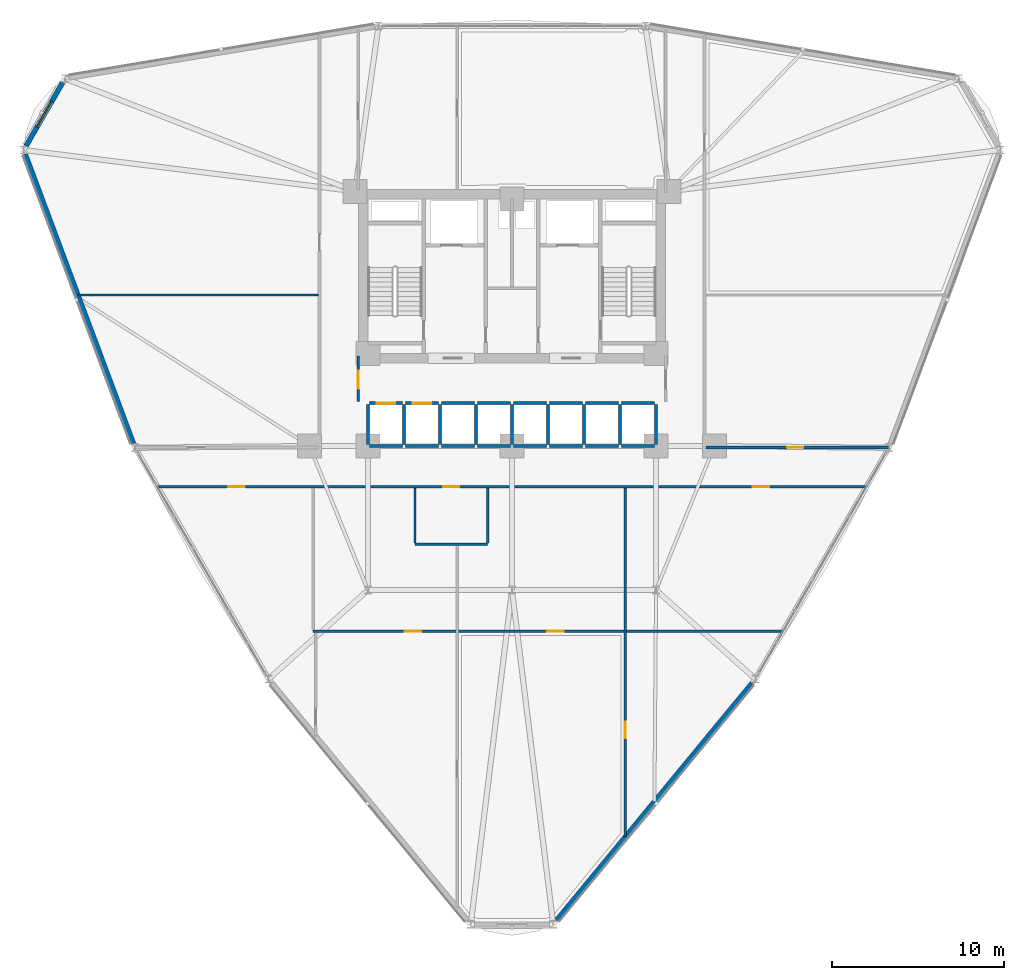
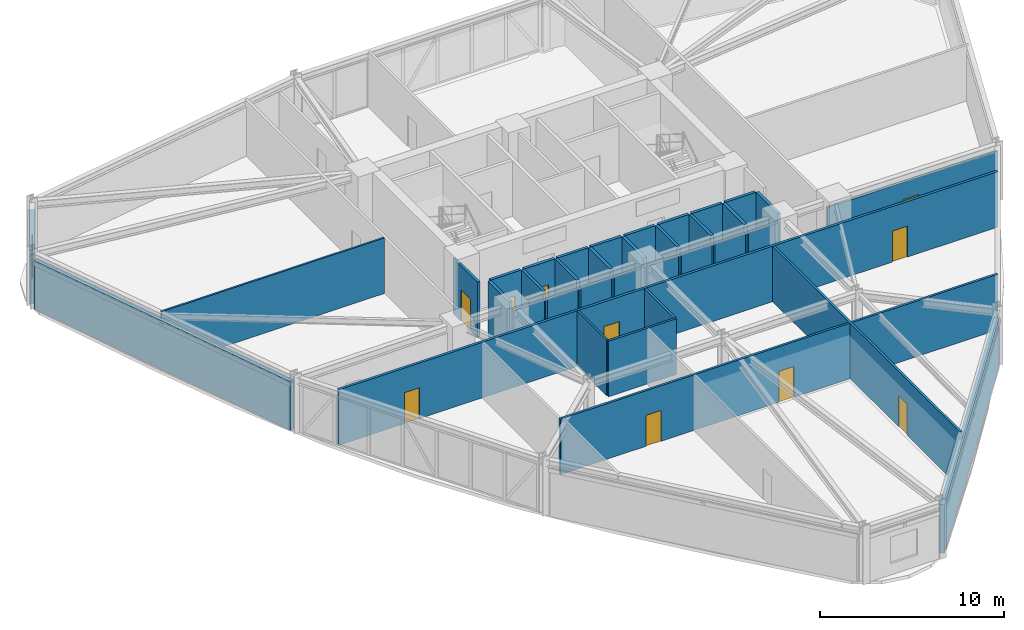
# One storey, part 16 of 22: 37 walls, 10 doors, 1 window, 11 openings.
"""IFC4 building model written with IfcOpenShell, lengths in metres."""

from ifc_helpers import new_model, si_unit, derived_unit, direction, frame, frame_2d, origin, place, context, subcontext, project, spatial, rectangle, extrude, material, layer, layer_set, type_object, element, fill, save


model = new_model("IFC4")

# Units and contexts
model_context = context("Model", 3, precision=1e-05, world=origin(), true_north=direction((0.0, 1.0)))
body_context = subcontext(model_context, "Body", "Model", "MODEL_VIEW")
ifc_project = project(units=[si_unit("LENGTHUNIT", "METRE"), si_unit("AREAUNIT", "SQUARE_METRE"), si_unit("VOLUMEUNIT", "CUBIC_METRE"), si_unit("PLANEANGLEUNIT", "RADIAN"), si_unit("MASSUNIT", "GRAM", prefix="KILO"), derived_unit("THERMALTRANSMITTANCEUNIT", [(si_unit("POWERUNIT", "WATT"), 1), (si_unit("LENGTHUNIT", "METRE"), -2), (si_unit("THERMODYNAMICTEMPERATUREUNIT", "KELVIN"), -1)])], contexts=[model_context])

# Site, building, storey
site_placement = place(None, origin())
site = spatial("IfcSite", under=ifc_project, at=site_placement, CompositionType="ELEMENT")
building_placement = place(site_placement, origin())
building = spatial("IfcBuilding", under=site, at=building_placement, Name="Korsvarv Bourse and Concert Hall", CompositionType="ELEMENT")
storey_placement = place(building_placement, frame((0.0, 0.0, 47.39990234375)))
storey = spatial("IfcBuildingStorey", under=building, at=storey_placement, Name="L11", CompositionType="ELEMENT", Elevation=47.39990234375)

# Wall, opening, window
ifc_material_1 = material(Name="Precast concrete C45/55 with terracotta rainscreen", Category="concrete")
ifc_layer_1 = layer(ifc_material_1, 0.300048828125)
ifc_layer_set_1 = layer_set([ifc_layer_1], Name="Precast concrete C45/55 with terracotta rainscreen")
wall_type_1 = type_object("IfcWallType", Name="WL-EXT-TC1", PredefinedType="SOLIDWALL", material=ifc_layer_set_1)
wall_1_placement = place(storey_placement, frame((9.791015625, 53.58642578125, 0.0), z_axis=(0.0, 0.0, 1.0), x_axis=(-0.500017365573, -0.866015377534, 0.0)))
wall_1 = element("IfcWall", 1, at=wall_1_placement, inside=storey, type_object=wall_type_1, Name="L11 terracotta exterior wall EW-L11-B05", PredefinedType="SOLIDWALL", context=body_context, shape_type="SweptSolid", body=[
    extrude(rectangle(XDim=4.251708984375, YDim=0.300048828125, at=frame_2d((2.1259765625, 0.0))), origin(), (0.0, 0.0, 1.0), 3.22998046875),
])
opening_1_placement = place(wall_1_placement, frame((1.27587890625, 0.0, 0.75)))
opening_1 = element("IfcOpeningElement", 2, at=opening_1_placement, cuts=wall_1, Name="Opening W-01", PredefinedType="OPENING", context=body_context, shape_type="SweptSolid", body=[
    extrude(rectangle(XDim=1.699951171875, YDim=1.75, at=frame_2d((0.85009765625, 0.875))), frame((0.0, 0.16015625, 0.0), z_axis=(0.0, -1.0, 0.0), x_axis=(1.0, 0.0, 0.0)), (0.0, 0.0, 1.0), 0.320068359375),
])
ifc_material_2 = material(Name="Thermally broken aluminium frame with triple low-E glass", Category="glass")
window_type = type_object("IfcWindowType", Name="WIN-TW1", PartitioningType="SINGLE_PANEL", PredefinedType="WINDOW", material=ifc_material_2)
window_placement = place(opening_1_placement, origin())
window = element("IfcWindow", 3, at=window_placement, inside=storey, type_object=window_type, Name="L11 punched facade window W-01", OverallHeight=1.75, OverallWidth=1.699951171875, PartitioningType="SINGLE_PANEL", PredefinedType="WINDOW", context=body_context, shape_type="SweptSolid", body=[
    extrude(rectangle(XDim=1.699951171875, YDim=1.75, at=frame_2d((0.85009765625, 0.875))), frame((0.0, 0.030029296875, 0.0), z_axis=(0.0, -1.0, 0.0), x_axis=(1.0, 0.0, 0.0)), (0.0, 0.0, 1.0), 0.06005859375),
])
fill(opening_1, window)

# Walls
ifc_material_3 = material(Name="Precast concrete C45/55 with fluted terracotta pier", Category="concrete")
ifc_layer_2 = layer(ifc_material_3, 0.280029296875)
ifc_layer_set_2 = layer_set([ifc_layer_2], Name="Precast concrete C45/55 with fluted terracotta pier")
wall_type_2 = type_object("IfcWallType", Name="WL-EXT-TC2", PredefinedType="SOLIDWALL", material=ifc_layer_set_2)
wall_2_placement = place(storey_placement, frame((7.615966796875, 49.42041015625, 0.0), z_axis=(0.0, 0.0, 1.0), x_axis=(0.350140465982, -0.936697205121, 0.0)))
element("IfcWall", 4, at=wall_2_placement, inside=storey, type_object=wall_type_2, Name="L11 terracotta exterior wall EW-L11-B06", PredefinedType="SOLIDWALL", context=body_context, shape_type="SweptSolid", body=[
    extrude(rectangle(XDim=18.022216796875, YDim=0.280029296875, at=frame_2d((9.01123046875, 0.0))), origin(), (0.0, 0.0, 1.0), 3.22998046875),
])
wall_3_placement = place(storey_placement, frame((38.604736328125, 4.751220703125, 0.0), z_axis=(0.0, 0.0, 1.0), x_axis=(0.636134749951, 0.771577980443, 0.0)))
element("IfcWall", 5, at=wall_3_placement, inside=storey, type_object=wall_type_2, Name="L11 terracotta exterior wall EW-L11-B10", PredefinedType="SOLIDWALL", context=body_context, shape_type="SweptSolid", body=[
    extrude(rectangle(XDim=17.911865234375, YDim=0.280029296875, at=frame_2d((8.9560546875, 0.0))), origin(), (0.0, 0.0, 1.0), 3.22998046875),
])

# Wall, opening, door
ifc_material_4 = material(Name="Double-stud fire-rated acoustic partition", Category="gypsum")
ifc_layer_3 = layer(ifc_material_4, 0.159912109375)
ifc_layer_set_3 = layer_set([ifc_layer_3], Name="Double-stud fire-rated acoustic partition")
wall_type_3 = type_object("IfcWallType", Name="WL-INT-EI60", PredefinedType="PARTITIONING", material=ifc_layer_set_3)
wall_4_placement = place(storey_placement, frame((27.0400390625, 35.0, 0.0), z_axis=(0.0, 0.0, 1.0), x_axis=(0.0, 1.0, 0.0)))
wall_4 = element("IfcWall", 6, at=wall_4_placement, inside=storey, type_object=wall_type_3, Name="L11 interior partition wall W-L11-LOB-W", PredefinedType="PARTITIONING", context=body_context, shape_type="SweptSolid", body=[
    extrude(rectangle(XDim=2.64990234375, YDim=0.159912109375, at=frame_2d((1.324951171875, 0.0))), origin(), (0.0, 0.0, 1.0), 3.68017578125),
])
opening_2_placement = place(wall_4_placement, frame((0.75, 0.0, 0.0)))
opening_2 = element("IfcOpeningElement", 7, at=opening_2_placement, cuts=wall_4, Name="Opening D-01", PredefinedType="OPENING", context=body_context, shape_type="SweptSolid", body=[
    extrude(rectangle(XDim=1.050048828125, YDim=2.10009765625, at=frame_2d((0.52490234375, 1.050048828125))), frame((0.0, 0.08984375, 0.0), z_axis=(0.0, -1.0, 0.0), x_axis=(1.0, 0.0, 0.0)), (0.0, 0.0, 1.0), 0.179931640625),
])
ifc_material_5 = material(Name="Steel S355 fire door", Category="steel")
door_type_1 = type_object("IfcDoorType", Name="DR-FD60", OperationType="NOTDEFINED", PredefinedType="DOOR", material=ifc_material_5)
door_1_placement = place(opening_2_placement, frame((1.050048828125, 0.0, 0.0), z_axis=(0.0, 0.0, 1.0), x_axis=(-1.0, 0.0, 0.0)))
door_1 = element("IfcDoor", 8, at=door_1_placement, inside=storey, type_object=door_type_1, Name="L11 interior door DR-L11-LOBW", OperationType="SINGLE_SWING_RIGHT", OverallHeight=2.10009765625, OverallWidth=1.050048828125, PredefinedType="DOOR", context=body_context, shape_type="SweptSolid", body=[
    extrude(rectangle(XDim=1.050048828125, YDim=2.10009765625, at=frame_2d((0.52490234375, 1.050048828125))), frame((0.0, 0.02490234375, 0.0), z_axis=(0.0, -1.0, 0.0), x_axis=(1.0, 0.0, 0.0)), (0.0, 0.0, 1.0), 0.050048828125),
])
fill(opening_2, door_1)

# Wall, openings, doors
wall_5_placement = place(storey_placement, frame((15.348388671875, 30.02490234375, 0.0), z_axis=(0.0, 0.0, 1.0), x_axis=(1.0, 0.0, 0.0)))
wall_5 = element("IfcWall", 9, at=wall_5_placement, inside=storey, type_object=wall_type_3, Name="L11 interior partition wall W-L11-TCOR-01", PredefinedType="PARTITIONING", context=body_context, shape_type="SweptSolid", body=[
    extrude(rectangle(XDim=41.30322265625, YDim=0.159912109375, at=frame_2d((20.651611328125, 0.0))), origin(), (0.0, 0.0, 1.0), 3.68017578125),
])
opening_3_placement = place(wall_5_placement, frame((16.636474609375, 0.0, 0.0)))
opening_3 = element("IfcOpeningElement", 10, at=opening_3_placement, cuts=wall_5, Name="Opening D-02", PredefinedType="OPENING", context=body_context, shape_type="SweptSolid", body=[
    extrude(rectangle(XDim=0.949951171875, YDim=2.050048828125, at=frame_2d((0.47509765625, 1.02490234375))), frame((0.0, 0.08984375, 0.0), z_axis=(0.0, -1.0, 0.0), x_axis=(1.0, 0.0, 0.0)), (0.0, 0.0, 1.0), 0.179931640625),
])
opening_4_placement = place(wall_5_placement, frame((4.119873046875, 0.0, 0.0)))
opening_4 = element("IfcOpeningElement", 11, at=opening_4_placement, cuts=wall_5, Name="Opening D-02", PredefinedType="OPENING", context=body_context, shape_type="SweptSolid", body=[
    extrude(rectangle(XDim=0.949951171875, YDim=2.050048828125, at=frame_2d((0.47509765625, 1.02490234375))), frame((0.0, 0.08984375, 0.0), z_axis=(0.0, -1.0, 0.0), x_axis=(1.0, 0.0, 0.0)), (0.0, 0.0, 1.0), 0.179931640625),
])
opening_5_placement = place(wall_5_placement, frame((34.68994140625, 0.0, 0.0)))
opening_5 = element("IfcOpeningElement", 12, at=opening_5_placement, cuts=wall_5, Name="Opening D-02", PredefinedType="OPENING", context=body_context, shape_type="SweptSolid", body=[
    extrude(rectangle(XDim=0.949951171875, YDim=2.050048828125, at=frame_2d((0.47509765625, 1.02490234375))), frame((0.0, 0.08984375, 0.0), z_axis=(0.0, -1.0, 0.0), x_axis=(1.0, 0.0, 0.0)), (0.0, 0.0, 1.0), 0.179931640625),
])
ifc_material_6 = material(Name="Timber and steel acoustic fire door", Category="wood")
door_type_2 = type_object("IfcDoorType", Name="DR-FD30", OperationType="NOTDEFINED", PredefinedType="DOOR", material=ifc_material_6)
door_2_placement = place(opening_3_placement, origin())
door_2 = element("IfcDoor", 13, at=door_2_placement, inside=storey, type_object=door_type_2, Name="L11 interior door DR-L11-TCOR-RWC", OperationType="SINGLE_SWING_RIGHT", OverallHeight=2.050048828125, OverallWidth=0.949951171875, PredefinedType="DOOR", context=body_context, shape_type="SweptSolid", body=[
    extrude(rectangle(XDim=0.949951171875, YDim=2.050048828125, at=frame_2d((0.47509765625, 1.02490234375))), frame((0.0, 0.02490234375, 0.0), z_axis=(0.0, -1.0, 0.0), x_axis=(1.0, 0.0, 0.0)), (0.0, 0.0, 1.0), 0.050048828125),
])
fill(opening_3, door_2)
door_3_placement = place(opening_4_placement, origin())
door_3 = element("IfcDoor", 14, at=door_3_placement, inside=storey, type_object=door_type_2, Name="L11 interior door DR-L11-TCOR-MF13", OperationType="SINGLE_SWING_LEFT", OverallHeight=2.050048828125, OverallWidth=0.949951171875, PredefinedType="DOOR", context=body_context, shape_type="SweptSolid", body=[
    extrude(rectangle(XDim=0.949951171875, YDim=2.050048828125, at=frame_2d((0.47509765625, 1.02490234375))), frame((0.0, 0.02490234375, 0.0), z_axis=(0.0, -1.0, 0.0), x_axis=(1.0, 0.0, 0.0)), (0.0, 0.0, 1.0), 0.050048828125),
])
fill(opening_4, door_3)
door_4_placement = place(opening_5_placement, origin())
door_4 = element("IfcDoor", 15, at=door_4_placement, inside=storey, type_object=door_type_2, Name="L11 interior door DR-L11-TCOR-MF49", OperationType="SINGLE_SWING_RIGHT", OverallHeight=2.050048828125, OverallWidth=0.949951171875, PredefinedType="DOOR", context=body_context, shape_type="SweptSolid", body=[
    extrude(rectangle(XDim=0.949951171875, YDim=2.050048828125, at=frame_2d((0.47509765625, 1.02490234375))), frame((0.0, 0.02490234375, 0.0), z_axis=(0.0, -1.0, 0.0), x_axis=(1.0, 0.0, 0.0)), (0.0, 0.0, 1.0), 0.050048828125),
])
fill(opening_5, door_4)

# Wall, opening, door
wall_6_placement = place(storey_placement, frame((47.306884765625, 32.31494140625, 0.0), z_axis=(0.0, 0.0, 1.0), x_axis=(1.0, 0.0, 0.0)))
wall_6 = element("IfcWall", 16, at=wall_6_placement, inside=storey, type_object=wall_type_3, Name="L11 interior partition wall W-L11-TCOR-05", PredefinedType="PARTITIONING", context=body_context, shape_type="SweptSolid", body=[
    extrude(rectangle(XDim=10.6630859375, YDim=0.159912109375, at=frame_2d((5.33154296875, 0.0))), origin(), (0.0, 0.0, 1.0), 3.18017578125),
])
opening_6_placement = place(wall_6_placement, frame((4.739013671875, 0.0, 0.0)))
opening_6 = element("IfcOpeningElement", 17, at=opening_6_placement, cuts=wall_6, Name="Opening D-02", PredefinedType="OPENING", context=body_context, shape_type="SweptSolid", body=[
    extrude(rectangle(XDim=0.949951171875, YDim=2.050048828125, at=frame_2d((0.47509765625, 1.02490234375))), frame((0.0, 0.08984375, 0.0), z_axis=(0.0, -1.0, 0.0), x_axis=(1.0, 0.0, 0.0)), (0.0, 0.0, 1.0), 0.179931640625),
])
door_5_placement = place(opening_6_placement, origin())
door_5 = element("IfcDoor", 18, at=door_5_placement, inside=storey, type_object=door_type_2, Name="L11 interior door DR-L11-TCOR-MF91", OperationType="SINGLE_SWING_RIGHT", OverallHeight=2.050048828125, OverallWidth=0.949951171875, PredefinedType="DOOR", context=body_context, shape_type="SweptSolid", body=[
    extrude(rectangle(XDim=0.949951171875, YDim=2.050048828125, at=frame_2d((0.47509765625, 1.02490234375))), frame((0.0, 0.02490234375, 0.0), z_axis=(0.0, -1.0, 0.0), x_axis=(1.0, 0.0, 0.0)), (0.0, 0.0, 1.0), 0.050048828125),
])
fill(opening_6, door_5)

ifc_material_7 = material(Name="Gypsum-clad autoclaved concrete shaft wall C30/37", Category="concrete")
ifc_layer_4 = layer(ifc_material_7, 0.179931640625)
ifc_layer_set_4 = layer_set([ifc_layer_4], Name="Gypsum-clad autoclaved concrete shaft wall C30/37")
wall_type_4 = type_object("IfcWallType", Name="WL-INT-EI90", PredefinedType="PARTITIONING", material=ifc_layer_set_4)
wall_7_placement = place(storey_placement, frame((27.68994140625, 34.89990234375, 0.0), z_axis=(0.0, 0.0, 1.0), x_axis=(1.0, 0.0, 0.0)))
wall_7 = element("IfcWall", 19, at=wall_7_placement, inside=storey, type_object=wall_type_4, Name="L11 interior partition wall W-L11-SHFN-PL1", PredefinedType="PARTITIONING", context=body_context, shape_type="SweptSolid", body=[
    extrude(rectangle(XDim=1.920166015625, YDim=0.179931640625, at=frame_2d((0.9599609375, 0.0))), origin(), (0.0, 0.0, 1.0), 3.68017578125),
])
opening_7_placement = place(wall_7_placement, frame((0.409912109375, 0.0, 0.0)))
opening_7 = element("IfcOpeningElement", 20, at=opening_7_placement, cuts=wall_7, Name="Opening LD-2", PredefinedType="OPENING", context=body_context, shape_type="SweptSolid", body=[
    extrude(rectangle(XDim=1.10009765625, YDim=2.10009765625, at=frame_2d((0.550048828125, 1.050048828125))), frame((0.0, 0.10009765625, 0.0), z_axis=(0.0, -1.0, 0.0), x_axis=(1.0, 0.0, 0.0)), (0.0, 0.0, 1.0), 0.199951171875),
])
ifc_material_8 = material(Name="Brushed stainless Steel S355 lift landing door", Category="steel")
door_type_3 = type_object("IfcDoorType", Name="DR-LIFT-P", OperationType="DOUBLE_DOOR_SLIDING", PredefinedType="DOOR", material=ifc_material_8)
door_6_placement = place(opening_7_placement, origin())
door_6 = element("IfcDoor", 21, at=door_6_placement, inside=storey, type_object=door_type_3, Name="L11 lift sliding landing door LD-L11-PL1", OperationType="DOUBLE_DOOR_SLIDING", OverallHeight=2.10009765625, OverallWidth=1.10009765625, PredefinedType="DOOR", context=body_context, shape_type="SweptSolid", body=[
    extrude(rectangle(XDim=1.10009765625, YDim=2.10009765625, at=frame_2d((0.550048828125, 1.050048828125))), frame((0.0, 0.02490234375, 0.0), z_axis=(0.0, -1.0, 0.0), x_axis=(1.0, 0.0, 0.0)), (0.0, 0.0, 1.0), 0.050048828125),
])
fill(opening_7, door_6)

# Walls
wall_8_placement = place(storey_placement, frame((27.68994140625, 32.39990234375, 0.0), z_axis=(0.0, 0.0, 1.0), x_axis=(1.0, 0.0, 0.0)))
element("IfcWall", 22, at=wall_8_placement, inside=storey, type_object=wall_type_4, Name="L11 interior partition wall W-L11-SHFS-PL1", PredefinedType="PARTITIONING", context=body_context, shape_type="SweptSolid", body=[
    extrude(rectangle(XDim=1.920166015625, YDim=0.179931640625, at=frame_2d((0.9599609375, 0.0))), origin(), (0.0, 0.0, 1.0), 3.18017578125),
])
wall_9_placement = place(storey_placement, frame((27.60009765625, 32.489990234375, 0.0), z_axis=(0.0, 0.0, 1.0), x_axis=(0.0, 1.0, 0.0)))
element("IfcWall", 23, at=wall_9_placement, inside=storey, type_object=wall_type_4, Name="L11 interior partition wall W-L11-SHFW-PL1", PredefinedType="PARTITIONING", context=body_context, shape_type="SweptSolid", body=[
    extrude(rectangle(XDim=2.320068359375, YDim=0.179931640625, at=frame_2d((1.16015625, 0.0))), origin(), (0.0, 0.0, 1.0), 3.68017578125),
])

# Wall, opening, door
wall_10_placement = place(storey_placement, frame((29.7900390625, 34.89990234375, 0.0), z_axis=(0.0, 0.0, 1.0), x_axis=(1.0, 0.0, 0.0)))
wall_10 = element("IfcWall", 24, at=wall_10_placement, inside=storey, type_object=wall_type_4, Name="L11 interior partition wall W-L11-SHFN-PL2", PredefinedType="PARTITIONING", context=body_context, shape_type="SweptSolid", body=[
    extrude(rectangle(XDim=1.919921875, YDim=0.179931640625, at=frame_2d((0.9599609375, 0.0))), origin(), (0.0, 0.0, 1.0), 3.68017578125),
])
opening_8_placement = place(wall_10_placement, frame((0.409912109375, 0.0, 0.0)))
opening_8 = element("IfcOpeningElement", 25, at=opening_8_placement, cuts=wall_10, Name="Opening LD-2", PredefinedType="OPENING", context=body_context, shape_type="SweptSolid", body=[
    extrude(rectangle(XDim=1.10009765625, YDim=2.10009765625, at=frame_2d((0.550048828125, 1.050048828125))), frame((0.0, 0.10009765625, 0.0), z_axis=(0.0, -1.0, 0.0), x_axis=(1.0, 0.0, 0.0)), (0.0, 0.0, 1.0), 0.199951171875),
])
door_7_placement = place(opening_8_placement, origin())
door_7 = element("IfcDoor", 26, at=door_7_placement, inside=storey, type_object=door_type_3, Name="L11 lift sliding landing door LD-L11-PL2", OperationType="DOUBLE_DOOR_SLIDING", OverallHeight=2.10009765625, OverallWidth=1.10009765625, PredefinedType="DOOR", context=body_context, shape_type="SweptSolid", body=[
    extrude(rectangle(XDim=1.10009765625, YDim=2.10009765625, at=frame_2d((0.550048828125, 1.050048828125))), frame((0.0, 0.02490234375, 0.0), z_axis=(0.0, -1.0, 0.0), x_axis=(1.0, 0.0, 0.0)), (0.0, 0.0, 1.0), 0.050048828125),
])
fill(opening_8, door_7)

# Walls
wall_11_placement = place(storey_placement, frame((29.7900390625, 32.39990234375, 0.0), z_axis=(0.0, 0.0, 1.0), x_axis=(1.0, 0.0, 0.0)))
element("IfcWall", 27, at=wall_11_placement, inside=storey, type_object=wall_type_4, Name="L11 interior partition wall W-L11-SHFS-PL2", PredefinedType="PARTITIONING", context=body_context, shape_type="SweptSolid", body=[
    extrude(rectangle(XDim=1.919921875, YDim=0.179931640625, at=frame_2d((0.9599609375, 0.0))), origin(), (0.0, 0.0, 1.0), 3.18017578125),
])
wall_12_placement = place(storey_placement, frame((29.699951171875, 32.489990234375, 0.0), z_axis=(0.0, 0.0, 1.0), x_axis=(0.0, 1.0, 0.0)))
element("IfcWall", 28, at=wall_12_placement, inside=storey, type_object=wall_type_4, Name="L11 interior partition wall W-L11-SHFW-PL2", PredefinedType="PARTITIONING", context=body_context, shape_type="SweptSolid", body=[
    extrude(rectangle(XDim=2.320068359375, YDim=0.179931640625, at=frame_2d((1.16015625, 0.0))), origin(), (0.0, 0.0, 1.0), 3.68017578125),
])
wall_13_placement = place(storey_placement, frame((31.889892578125, 34.89990234375, 0.0), z_axis=(0.0, 0.0, 1.0), x_axis=(1.0, 0.0, 0.0)))
element("IfcWall", 29, at=wall_13_placement, inside=storey, type_object=wall_type_4, Name="L11 interior partition wall W-L11-SHFN-PM1", PredefinedType="PARTITIONING", context=body_context, shape_type="SweptSolid", body=[
    extrude(rectangle(XDim=1.920166015625, YDim=0.179931640625, at=frame_2d((0.9599609375, 0.0))), origin(), (0.0, 0.0, 1.0), 3.68017578125),
])
wall_14_placement = place(storey_placement, frame((31.889892578125, 32.39990234375, 0.0), z_axis=(0.0, 0.0, 1.0), x_axis=(1.0, 0.0, 0.0)))
element("IfcWall", 30, at=wall_14_placement, inside=storey, type_object=wall_type_4, Name="L11 interior partition wall W-L11-SHFS-PM1", PredefinedType="PARTITIONING", context=body_context, shape_type="SweptSolid", body=[
    extrude(rectangle(XDim=1.920166015625, YDim=0.179931640625, at=frame_2d((0.9599609375, 0.0))), origin(), (0.0, 0.0, 1.0), 3.18017578125),
])
wall_15_placement = place(storey_placement, frame((31.800048828125, 32.489990234375, 0.0), z_axis=(0.0, 0.0, 1.0), x_axis=(0.0, 1.0, 0.0)))
element("IfcWall", 31, at=wall_15_placement, inside=storey, type_object=wall_type_4, Name="L11 interior partition wall W-L11-SHFW-PM1", PredefinedType="PARTITIONING", context=body_context, shape_type="SweptSolid", body=[
    extrude(rectangle(XDim=2.320068359375, YDim=0.179931640625, at=frame_2d((1.16015625, 0.0))), origin(), (0.0, 0.0, 1.0), 3.68017578125),
])
wall_16_placement = place(storey_placement, frame((33.989990234375, 34.89990234375, 0.0), z_axis=(0.0, 0.0, 1.0), x_axis=(1.0, 0.0, 0.0)))
element("IfcWall", 32, at=wall_16_placement, inside=storey, type_object=wall_type_4, Name="L11 interior partition wall W-L11-SHFN-PM2", PredefinedType="PARTITIONING", context=body_context, shape_type="SweptSolid", body=[
    extrude(rectangle(XDim=1.919921875, YDim=0.179931640625, at=frame_2d((0.9599609375, 0.0))), origin(), (0.0, 0.0, 1.0), 3.68017578125),
])
wall_17_placement = place(storey_placement, frame((33.989990234375, 32.39990234375, 0.0), z_axis=(0.0, 0.0, 1.0), x_axis=(1.0, 0.0, 0.0)))
element("IfcWall", 33, at=wall_17_placement, inside=storey, type_object=wall_type_4, Name="L11 interior partition wall W-L11-SHFS-PM2", PredefinedType="PARTITIONING", context=body_context, shape_type="SweptSolid", body=[
    extrude(rectangle(XDim=1.919921875, YDim=0.179931640625, at=frame_2d((0.9599609375, 0.0))), origin(), (0.0, 0.0, 1.0), 3.18017578125),
])
wall_18_placement = place(storey_placement, frame((33.89990234375, 32.489990234375, 0.0), z_axis=(0.0, 0.0, 1.0), x_axis=(0.0, 1.0, 0.0)))
element("IfcWall", 34, at=wall_18_placement, inside=storey, type_object=wall_type_4, Name="L11 interior partition wall W-L11-SHFW-PM2", PredefinedType="PARTITIONING", context=body_context, shape_type="SweptSolid", body=[
    extrude(rectangle(XDim=2.320068359375, YDim=0.179931640625, at=frame_2d((1.16015625, 0.0))), origin(), (0.0, 0.0, 1.0), 3.68017578125),
])
wall_19_placement = place(storey_placement, frame((36.090087890625, 34.89990234375, 0.0), z_axis=(0.0, 0.0, 1.0), x_axis=(1.0, 0.0, 0.0)))
element("IfcWall", 35, at=wall_19_placement, inside=storey, type_object=wall_type_4, Name="L11 interior partition wall W-L11-SHFN-PH1", PredefinedType="PARTITIONING", context=body_context, shape_type="SweptSolid", body=[
    extrude(rectangle(XDim=1.919921875, YDim=0.179931640625, at=frame_2d((0.9599609375, 0.0))), origin(), (0.0, 0.0, 1.0), 3.68017578125),
])
wall_20_placement = place(storey_placement, frame((36.090087890625, 32.39990234375, 0.0), z_axis=(0.0, 0.0, 1.0), x_axis=(1.0, 0.0, 0.0)))
element("IfcWall", 36, at=wall_20_placement, inside=storey, type_object=wall_type_4, Name="L11 interior partition wall W-L11-SHFS-PH1", PredefinedType="PARTITIONING", context=body_context, shape_type="SweptSolid", body=[
    extrude(rectangle(XDim=1.919921875, YDim=0.179931640625, at=frame_2d((0.9599609375, 0.0))), origin(), (0.0, 0.0, 1.0), 3.18017578125),
])
wall_21_placement = place(storey_placement, frame((36.0, 32.489990234375, 0.0), z_axis=(0.0, 0.0, 1.0), x_axis=(0.0, 1.0, 0.0)))
element("IfcWall", 37, at=wall_21_placement, inside=storey, type_object=wall_type_4, Name="L11 interior partition wall W-L11-SHFW-PH1", PredefinedType="PARTITIONING", context=body_context, shape_type="SweptSolid", body=[
    extrude(rectangle(XDim=2.320068359375, YDim=0.179931640625, at=frame_2d((1.16015625, 0.0))), origin(), (0.0, 0.0, 1.0), 3.68017578125),
])
wall_22_placement = place(storey_placement, frame((38.18994140625, 34.89990234375, 0.0), z_axis=(0.0, 0.0, 1.0), x_axis=(1.0, 0.0, 0.0)))
element("IfcWall", 38, at=wall_22_placement, inside=storey, type_object=wall_type_4, Name="L11 interior partition wall W-L11-SHFN-PH2", PredefinedType="PARTITIONING", context=body_context, shape_type="SweptSolid", body=[
    extrude(rectangle(XDim=1.920166015625, YDim=0.179931640625, at=frame_2d((0.9599609375, 0.0))), origin(), (0.0, 0.0, 1.0), 3.68017578125),
])
wall_23_placement = place(storey_placement, frame((38.18994140625, 32.39990234375, 0.0), z_axis=(0.0, 0.0, 1.0), x_axis=(1.0, 0.0, 0.0)))
element("IfcWall", 39, at=wall_23_placement, inside=storey, type_object=wall_type_4, Name="L11 interior partition wall W-L11-SHFS-PH2", PredefinedType="PARTITIONING", context=body_context, shape_type="SweptSolid", body=[
    extrude(rectangle(XDim=1.920166015625, YDim=0.179931640625, at=frame_2d((0.9599609375, 0.0))), origin(), (0.0, 0.0, 1.0), 3.18017578125),
])
wall_24_placement = place(storey_placement, frame((38.10009765625, 32.489990234375, 0.0), z_axis=(0.0, 0.0, 1.0), x_axis=(0.0, 1.0, 0.0)))
element("IfcWall", 40, at=wall_24_placement, inside=storey, type_object=wall_type_4, Name="L11 interior partition wall W-L11-SHFW-PH2", PredefinedType="PARTITIONING", context=body_context, shape_type="SweptSolid", body=[
    extrude(rectangle(XDim=2.320068359375, YDim=0.179931640625, at=frame_2d((1.16015625, 0.0))), origin(), (0.0, 0.0, 1.0), 3.68017578125),
])
wall_25_placement = place(storey_placement, frame((40.2900390625, 34.89990234375, 0.0), z_axis=(0.0, 0.0, 1.0), x_axis=(1.0, 0.0, 0.0)))
element("IfcWall", 41, at=wall_25_placement, inside=storey, type_object=wall_type_4, Name="L11 interior partition wall W-L11-SHFN-PO1", PredefinedType="PARTITIONING", context=body_context, shape_type="SweptSolid", body=[
    extrude(rectangle(XDim=1.919921875, YDim=0.179931640625, at=frame_2d((0.9599609375, 0.0))), origin(), (0.0, 0.0, 1.0), 3.68017578125),
])
wall_26_placement = place(storey_placement, frame((40.2900390625, 32.39990234375, 0.0), z_axis=(0.0, 0.0, 1.0), x_axis=(1.0, 0.0, 0.0)))
element("IfcWall", 42, at=wall_26_placement, inside=storey, type_object=wall_type_4, Name="L11 interior partition wall W-L11-SHFS-PO1", PredefinedType="PARTITIONING", context=body_context, shape_type="SweptSolid", body=[
    extrude(rectangle(XDim=1.919921875, YDim=0.179931640625, at=frame_2d((0.9599609375, 0.0))), origin(), (0.0, 0.0, 1.0), 3.18017578125),
])
wall_27_placement = place(storey_placement, frame((40.199951171875, 32.489990234375, 0.0), z_axis=(0.0, 0.0, 1.0), x_axis=(0.0, 1.0, 0.0)))
element("IfcWall", 43, at=wall_27_placement, inside=storey, type_object=wall_type_4, Name="L11 interior partition wall W-L11-SHFW-PO1", PredefinedType="PARTITIONING", context=body_context, shape_type="SweptSolid", body=[
    extrude(rectangle(XDim=2.320068359375, YDim=0.179931640625, at=frame_2d((1.16015625, 0.0))), origin(), (0.0, 0.0, 1.0), 3.68017578125),
])
wall_28_placement = place(storey_placement, frame((42.389892578125, 34.89990234375, 0.0), z_axis=(0.0, 0.0, 1.0), x_axis=(1.0, 0.0, 0.0)))
element("IfcWall", 44, at=wall_28_placement, inside=storey, type_object=wall_type_4, Name="L11 interior partition wall W-L11-SHFN-PO2", PredefinedType="PARTITIONING", context=body_context, shape_type="SweptSolid", body=[
    extrude(rectangle(XDim=1.920166015625, YDim=0.179931640625, at=frame_2d((0.9599609375, 0.0))), origin(), (0.0, 0.0, 1.0), 3.68017578125),
])
wall_29_placement = place(storey_placement, frame((42.389892578125, 32.39990234375, 0.0), z_axis=(0.0, 0.0, 1.0), x_axis=(1.0, 0.0, 0.0)))
element("IfcWall", 45, at=wall_29_placement, inside=storey, type_object=wall_type_4, Name="L11 interior partition wall W-L11-SHFS-PO2", PredefinedType="PARTITIONING", context=body_context, shape_type="SweptSolid", body=[
    extrude(rectangle(XDim=1.920166015625, YDim=0.179931640625, at=frame_2d((0.9599609375, 0.0))), origin(), (0.0, 0.0, 1.0), 3.18017578125),
])
for number, where, z_axis, x_axis, name in (
    (46, (42.300048828125, 32.489990234375, 0.0), (0.0, 0.0, 1.0), (0.0, 1.0, 0.0), "L11 interior partition wall W-L11-SHFW-PO2"),
    (47, (44.39990234375, 32.489990234375, 0.0), (0.0, 0.0, 1.0), (0.0, 1.0, 0.0), "L11 interior partition wall W-L11-SHFE-END"),
):
    element("IfcWall", number, at=place(storey_placement, frame(where, z_axis=z_axis, x_axis=x_axis)), inside=storey, type_object=wall_type_4, Name=name, PredefinedType="PARTITIONING", context=body_context, shape_type="SweptSolid", body=[
        extrude(rectangle(XDim=2.320068359375, YDim=0.179931640625, at=frame_2d((1.16015625, 0.0))), origin(), (0.0, 0.0, 1.0), 3.68017578125),
    ])
ifc_material_9 = material(Name="Demountable acoustic glass and aluminium dealing partition", Category="aluminium")
ifc_layer_5 = layer(ifc_material_9, 0.110107421875)
ifc_layer_set_5 = layer_set([ifc_layer_5], Name="Demountable acoustic glass and aluminium dealing partition")
wall_type_5 = type_object("IfcWallType", Name="WL-INT-MOV", PredefinedType="MOVABLE", material=ifc_layer_set_5)
wall_30_placement = place(storey_placement, frame((10.706787109375, 41.205078125, 0.0), z_axis=(0.0, 0.0, 1.0), x_axis=(1.0, 0.0, 0.0)))
element("IfcWall", 48, at=wall_30_placement, inside=storey, type_object=wall_type_5, Name="L11 interior partition wall W-L11-TCOR-12", PredefinedType="MOVABLE", context=body_context, shape_type="SweptSolid", body=[
    extrude(rectangle(XDim=13.986328125, YDim=0.110107421875, at=frame_2d((6.9931640625, 0.0))), origin(), (0.0, 0.0, 1.0), 3.68017578125),
])
wall_31_placement = place(storey_placement, frame((30.344970703125, 26.7470703125, 0.0), z_axis=(0.0, 0.0, 1.0), x_axis=(0.0, 1.0, 0.0)))
element("IfcWall", 49, at=wall_31_placement, inside=storey, type_object=wall_type_5, Name="L11 interior partition wall W-L11-TCOR-17", PredefinedType="MOVABLE", context=body_context, shape_type="SweptSolid", body=[
    extrude(rectangle(XDim=3.196044921875, YDim=0.110107421875, at=frame_2d((1.59814453125, 0.0))), origin(), (0.0, 0.0, 1.0), 3.68017578125),
])

# Wall, openings, doors
ifc_material_10 = material(Name="Insulated steel-stud office acoustic partition", Category="gypsum")
ifc_layer_6 = layer(ifc_material_10, 0.139892578125)
ifc_layer_set_6 = layer_set([ifc_layer_6], Name="Insulated steel-stud office acoustic partition")
wall_type_6 = type_object("IfcWallType", Name="WL-INT-P1", PredefinedType="PARTITIONING", material=ifc_layer_set_6)
wall_32_placement = place(storey_placement, frame((24.389892578125, 21.60498046875, 0.0), z_axis=(0.0, 0.0, 1.0), x_axis=(1.0, 0.0, 0.0)))
wall_32 = element("IfcWall", 50, at=wall_32_placement, inside=storey, type_object=wall_type_6, Name="L11 interior partition wall W-L11-TCOR-08", PredefinedType="PARTITIONING", context=body_context, shape_type="SweptSolid", body=[
    extrude(rectangle(XDim=27.400390625, YDim=0.139892578125, at=frame_2d((13.7001953125, 0.0))), origin(), (0.0, 0.0, 1.0), 3.68017578125),
])
opening_9_placement = place(wall_32_placement, frame((5.360107421875, 0.0, 0.0)))
opening_9 = element("IfcOpeningElement", 51, at=opening_9_placement, cuts=wall_32, Name="Opening D-03", PredefinedType="OPENING", context=body_context, shape_type="SweptSolid", body=[
    extrude(rectangle(XDim=0.949951171875, YDim=2.050048828125, at=frame_2d((0.47509765625, 1.02490234375))), frame((0.0, 0.080078125, 0.0), z_axis=(0.0, -1.0, 0.0), x_axis=(1.0, 0.0, 0.0)), (0.0, 0.0, 1.0), 0.159912109375),
])
opening_10_placement = place(wall_32_placement, frame((13.677978515625, 0.0, 0.0)))
opening_10 = element("IfcOpeningElement", 52, at=opening_10_placement, cuts=wall_32, Name="Opening D-03", PredefinedType="OPENING", context=body_context, shape_type="SweptSolid", body=[
    extrude(rectangle(XDim=0.949951171875, YDim=2.050048828125, at=frame_2d((0.47509765625, 1.02490234375))), frame((0.0, 0.080078125, 0.0), z_axis=(0.0, -1.0, 0.0), x_axis=(1.0, 0.0, 0.0)), (0.0, 0.0, 1.0), 0.159912109375),
])
ifc_material_11 = material(Name="Nordic oak acoustic office door", Category="wood")
door_type_4 = type_object("IfcDoorType", Name="DR-INT-1", OperationType="NOTDEFINED", PredefinedType="DOOR", material=ifc_material_11)
door_8_placement = place(opening_9_placement, origin())
door_8 = element("IfcDoor", 53, at=door_8_placement, inside=storey, type_object=door_type_4, Name="L11 interior door DR-L11-TCOR-MF25", OperationType="SINGLE_SWING_RIGHT", OverallHeight=2.050048828125, OverallWidth=0.949951171875, PredefinedType="DOOR", context=body_context, shape_type="SweptSolid", body=[
    extrude(rectangle(XDim=0.949951171875, YDim=2.050048828125, at=frame_2d((0.47509765625, 1.02490234375))), frame((0.0, 0.02490234375, 0.0), z_axis=(0.0, -1.0, 0.0), x_axis=(1.0, 0.0, 0.0)), (0.0, 0.0, 1.0), 0.050048828125),
])
fill(opening_9, door_8)
door_9_placement = place(opening_10_placement, origin())
door_9 = element("IfcDoor", 54, at=door_9_placement, inside=storey, type_object=door_type_4, Name="L11 interior door DR-L11-TCOR-MF37", OperationType="SINGLE_SWING_LEFT", OverallHeight=2.050048828125, OverallWidth=0.949951171875, PredefinedType="DOOR", context=body_context, shape_type="SweptSolid", body=[
    extrude(rectangle(XDim=0.949951171875, YDim=2.050048828125, at=frame_2d((0.47509765625, 1.02490234375))), frame((0.0, 0.02490234375, 0.0), z_axis=(0.0, -1.0, 0.0), x_axis=(1.0, 0.0, 0.0)), (0.0, 0.0, 1.0), 0.050048828125),
])
fill(opening_10, door_9)

# Wall, opening, door
wall_33_placement = place(storey_placement, frame((42.60498046875, 9.623046875, 0.0), z_axis=(0.0, 0.0, 1.0), x_axis=(0.0, 1.0, 0.0)))
wall_33 = element("IfcWall", 55, at=wall_33_placement, inside=storey, type_object=wall_type_6, Name="L11 interior partition wall W-L11-TCOR-10", PredefinedType="PARTITIONING", context=body_context, shape_type="SweptSolid", body=[
    extrude(rectangle(XDim=20.320068359375, YDim=0.139892578125, at=frame_2d((10.16015625, 0.0))), origin(), (0.0, 0.0, 1.0), 3.68017578125),
])
opening_11_placement = place(wall_33_placement, frame((5.739501953125, 0.0, 0.0)))
opening_11 = element("IfcOpeningElement", 56, at=opening_11_placement, cuts=wall_33, Name="Opening D-03", PredefinedType="OPENING", context=body_context, shape_type="SweptSolid", body=[
    extrude(rectangle(XDim=0.949951171875, YDim=2.050048828125, at=frame_2d((0.47509765625, 1.02490234375))), frame((0.0, 0.080078125, 0.0), z_axis=(0.0, -1.0, 0.0), x_axis=(1.0, 0.0, 0.0)), (0.0, 0.0, 1.0), 0.159912109375),
])
door_10_placement = place(opening_11_placement, origin())
door_10 = element("IfcDoor", 57, at=door_10_placement, inside=storey, type_object=door_type_4, Name="L11 interior door DR-L11-TCOR-RM88", OperationType="SINGLE_SWING_LEFT", OverallHeight=2.050048828125, OverallWidth=0.949951171875, PredefinedType="DOOR", context=body_context, shape_type="SweptSolid", body=[
    extrude(rectangle(XDim=0.949951171875, YDim=2.050048828125, at=frame_2d((0.47509765625, 1.02490234375))), frame((0.0, 0.02490234375, 0.0), z_axis=(0.0, -1.0, 0.0), x_axis=(1.0, 0.0, 0.0)), (0.0, 0.0, 1.0), 0.050048828125),
])
fill(opening_11, door_10)

# Walls
wall_34_placement = place(storey_placement, frame((30.340087890625, 26.675048828125, 0.0), z_axis=(0.0, 0.0, 1.0), x_axis=(1.0, 0.0, 0.0)))
element("IfcWall", 58, at=wall_34_placement, inside=storey, type_object=wall_type_6, Name="L11 interior partition wall W-L11-TCOR-16", PredefinedType="PARTITIONING", context=body_context, shape_type="SweptSolid", body=[
    extrude(rectangle(XDim=4.239990234375, YDim=0.139892578125, at=frame_2d((2.1201171875, 0.0))), origin(), (0.0, 0.0, 1.0), 3.68017578125),
])
wall_35_placement = place(storey_placement, frame((34.574951171875, 26.7470703125, 0.0), z_axis=(0.0, 0.0, 1.0), x_axis=(0.0, 1.0, 0.0)))
element("IfcWall", 59, at=wall_35_placement, inside=storey, type_object=wall_type_6, Name="L11 interior partition wall W-L11-TCOR-18", PredefinedType="PARTITIONING", context=body_context, shape_type="SweptSolid", body=[
    extrude(rectangle(XDim=3.196044921875, YDim=0.139892578125, at=frame_2d((1.59814453125, 0.0))), origin(), (0.0, 0.0, 1.0), 3.68017578125),
])

save(model, "model.ifc")
